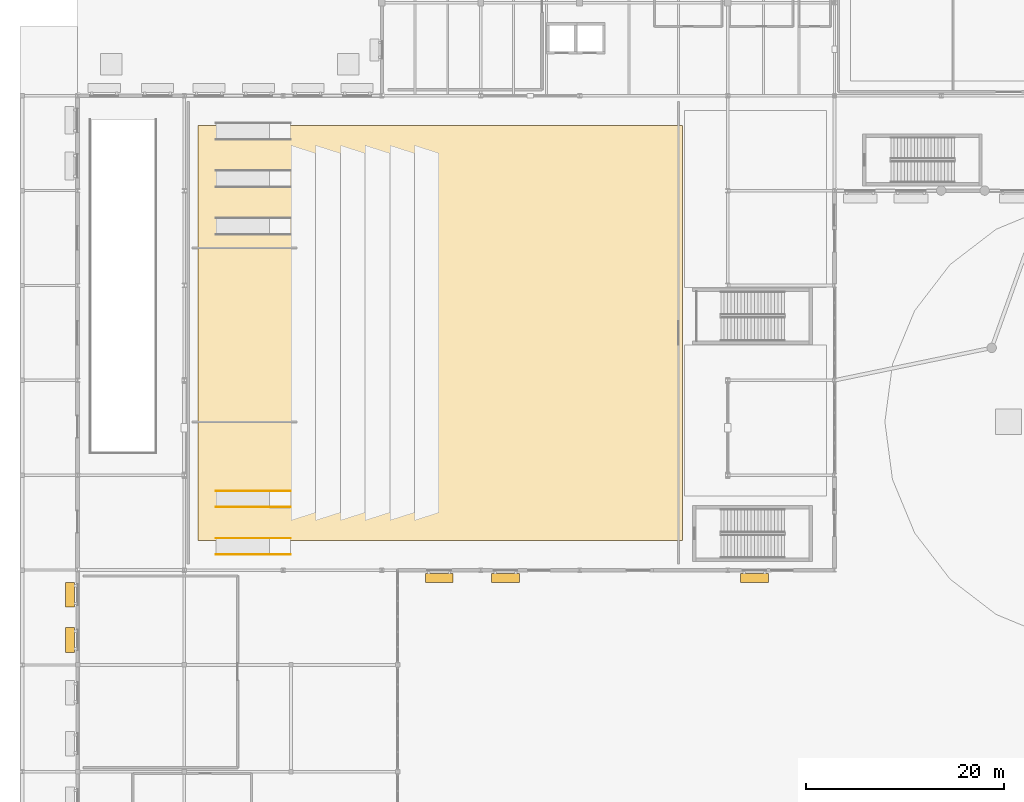
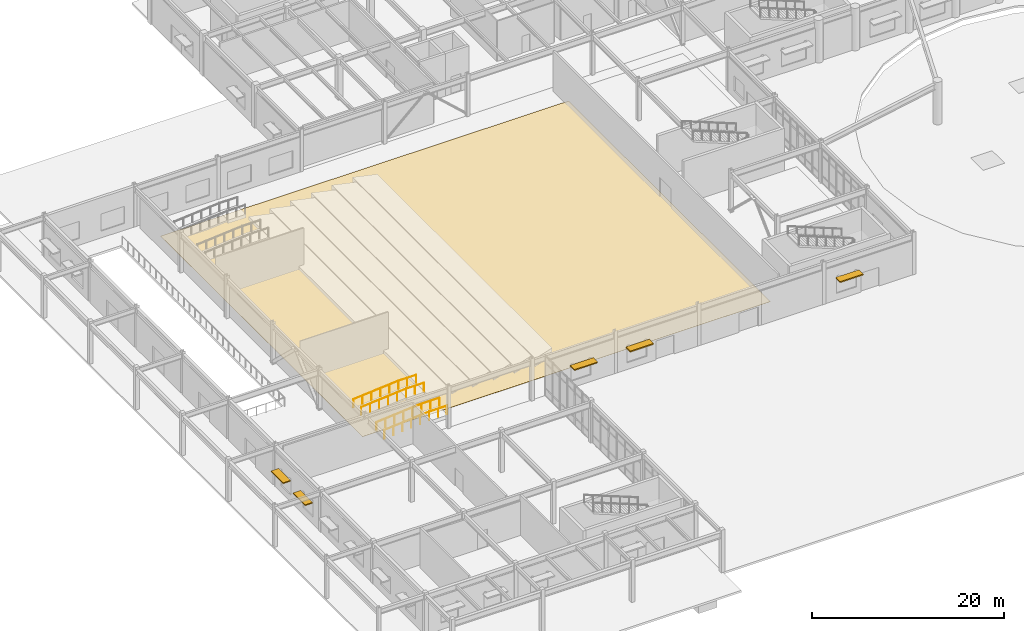
# One storey, part 45 of 54: 5 shading devices, 4 railings, 1 covering.
"""IFC4 building model written with IfcOpenShell, lengths in metres."""

from ifc_helpers import new_model, si_unit, direction, frame, origin, origin_2d, place, context, subcontext, project, spatial, polyline, rectangle, circle, outline, extrude, material, layer, layer_set, type_object, element, save


model = new_model("IFC4")

# Units and contexts
model_context = context("Model", 3, precision=1e-05, world=origin(), true_north=direction((0.0, 1.0)))
body_context = subcontext(model_context, "Body", "Model", "MODEL_VIEW")
ifc_project = project(units=[si_unit("LENGTHUNIT", "METRE"), si_unit("AREAUNIT", "SQUARE_METRE"), si_unit("VOLUMEUNIT", "CUBIC_METRE"), si_unit("PLANEANGLEUNIT", "RADIAN"), si_unit("MASSUNIT", "GRAM", prefix="KILO")], contexts=[model_context])

# Site, building, storey
site_placement = place(None, origin())
site = spatial("IfcSite", under=ifc_project, at=site_placement, CompositionType="ELEMENT")
building_placement = place(site_placement, origin())
building = spatial("IfcBuilding", under=site, at=building_placement, Name="Veldera Park Congress Hotel", CompositionType="ELEMENT")
storey_placement = place(building_placement, origin())
storey = spatial("IfcBuildingStorey", under=building, at=storey_placement, Name="L00", CompositionType="ELEMENT", Elevation=0.0)

# Covering
ifc_material_1 = material(Name="Engineered White Oak Plank Flooring", Category="wood")
ifc_layer = layer(ifc_material_1, 0.02197265625)
ifc_layer_set = layer_set([ifc_layer], Name="Engineered White Oak Plank Flooring")
covering_type = type_object("IfcCoveringType", Name="COV-FLR-OAK", PredefinedType="FLOORING", material=ifc_layer_set)
covering_placement = place(storey_placement, origin())
element("IfcCovering", 1, at=covering_placement, inside=storey, type_object=covering_type, Name="Plenary Hall Engineered Oak Stage Flooring", PredefinedType="FLOORING", context=body_context, shape_type="SweptSolid", body=[
    extrude(outline(polyline([(-66.0, -18.0), (-17.0, -18.0), (-17.0, 24.0), (-66.0, 24.0), (-66.0, -18.0)])), origin(), (0.0, 0.0, 1.0), 0.02197265625),
])

# Railings
ifc_material_2 = material(Name="Steel ASTM A992 Gr.50", Category="steel")
railing_type = type_object("IfcRailingType", Name="GRD-INT112", PredefinedType="GUARDRAIL", material=ifc_material_2)
for number, where, name in (
    (2, (-64.199951171875, -19.419921875, 0.0), "Accessible Ramp Guard 1-S"),
    (3, (-64.199951171875, -17.780029296875, 0.0), "Accessible Ramp Guard 1-N"),
    (4, (-64.199951171875, -14.6201171875, 0.0), "Accessible Ramp Guard 2-S"),
    (5, (-64.199951171875, -12.97998046875, 0.0), "Accessible Ramp Guard 2-N"),
):
    element("IfcRailing", number, at=place(storey_placement, frame(where)), inside=storey, type_object=railing_type, Name=name, PredefinedType="GUARDRAIL", context=body_context, shape_type="SweptSolid", body=[
        extrude(circle(Radius=0.02392578125, at=origin_2d()), frame((0.0, 0.0, 1.09619140625), z_axis=(0.996546379678, 0.0, 0.083038022323), x_axis=(0.0, 1.0, 0.0)), (0.0, 0.0, 1.0), 5.418701171875),
        extrude(circle(Radius=0.02392578125, at=origin_2d()), frame((5.39990234375, 0.0, 1.5458984375), z_axis=(1.0, 0.0, 0.0), x_axis=(0.0, 1.0, 0.0)), (0.0, 0.0, 1.0), 2.150146484375),
        extrude(circle(Radius=0.02099609375, at=origin_2d()), origin(), (0.0, 0.0, 1.0), 1.072021484375),
        extrude(circle(Radius=0.02099609375, at=origin_2d()), frame((1.080078125, 0.0, 0.090087890625)), (0.0, 0.0, 1.0), 1.072021484375),
        extrude(circle(Radius=0.02099609375, at=origin_2d()), frame((2.159912109375, 0.0, 0.179931640625)), (0.0, 0.0, 1.0), 1.072021484375),
        extrude(circle(Radius=0.02099609375, at=origin_2d()), frame((3.239990234375, 0.0, 0.27001953125)), (0.0, 0.0, 1.0), 1.072021484375),
        extrude(circle(Radius=0.02099609375, at=origin_2d()), frame((4.31982421875, 0.0, 0.35986328125)), (0.0, 0.0, 1.0), 1.072021484375),
        extrude(circle(Radius=0.02099609375, at=origin_2d()), frame((5.39990234375, 0.0, 0.449951171875)), (0.0, 0.0, 1.0), 1.072021484375),
        extrude(circle(Radius=0.02099609375, at=origin_2d()), frame((6.47509765625, 0.0, 0.449951171875)), (0.0, 0.0, 1.0), 1.072021484375),
        extrude(circle(Radius=0.02099609375, at=origin_2d()), frame((7.550048828125, 0.0, 0.449951171875)), (0.0, 0.0, 1.0), 1.072021484375),
    ])

# Shading devices
ifc_material_3 = material(Name="Glulam GL28h (NDS 24F-V4)", Category="wood")
shading_device_type = type_object("IfcShadingDeviceType", Name="SHD-SHF450", PredefinedType="AWNING", material=ifc_material_3)
for number, where, z_axis, x_axis, name in (
    (6, (-41.604736328125, -21.7900390625, 2.91015625), (0.0, 0.0, 1.0), (1.0, 0.0, 0.0), "Glulam Solar Shade 3"),
    (7, (-34.895263671875, -21.7900390625, 2.91015625), (0.0, 0.0, 1.0), (1.0, 0.0, 0.0), "Glulam Solar Shade 4"),
    (8, (-9.692138671875, -21.7900390625, 2.91015625), (0.0, 0.0, 1.0), (1.0, 0.0, 0.0), "Glulam Solar Shade 5"),
):
    element("IfcShadingDevice", number, at=place(storey_placement, frame(where, z_axis=z_axis, x_axis=x_axis)), inside=storey, type_object=shading_device_type, Name=name, PredefinedType="AWNING", context=body_context, shape_type="SweptSolid", body=[
        extrude(rectangle(XDim=2.800048828125, YDim=0.89990234375, at=origin_2d()), origin(), (0.0, 0.0, 1.0), 0.139892578125),
    ])
for number, where, z_axis, x_axis, name in (
    (9, (-78.969970703125, -23.485595703125, 2.81005859375), (0.0, 0.0, 1.0), (0.0, -1.0, 0.0), "Glulam Solar Shade 22"),
    (10, (-78.969970703125, -28.079833984375, 2.81005859375), (0.0, 0.0, 1.0), (0.0, -1.0, 0.0), "Glulam Solar Shade 23"),
):
    element("IfcShadingDevice", number, at=place(storey_placement, frame(where, z_axis=z_axis, x_axis=x_axis)), inside=storey, type_object=shading_device_type, Name=name, PredefinedType="AWNING", context=body_context, shape_type="SweptSolid", body=[
        extrude(rectangle(XDim=2.5, YDim=0.89990234375, at=origin_2d()), origin(), (0.0, 0.0, 1.0), 0.139892578125),
    ])

save(model, "model.ifc")
